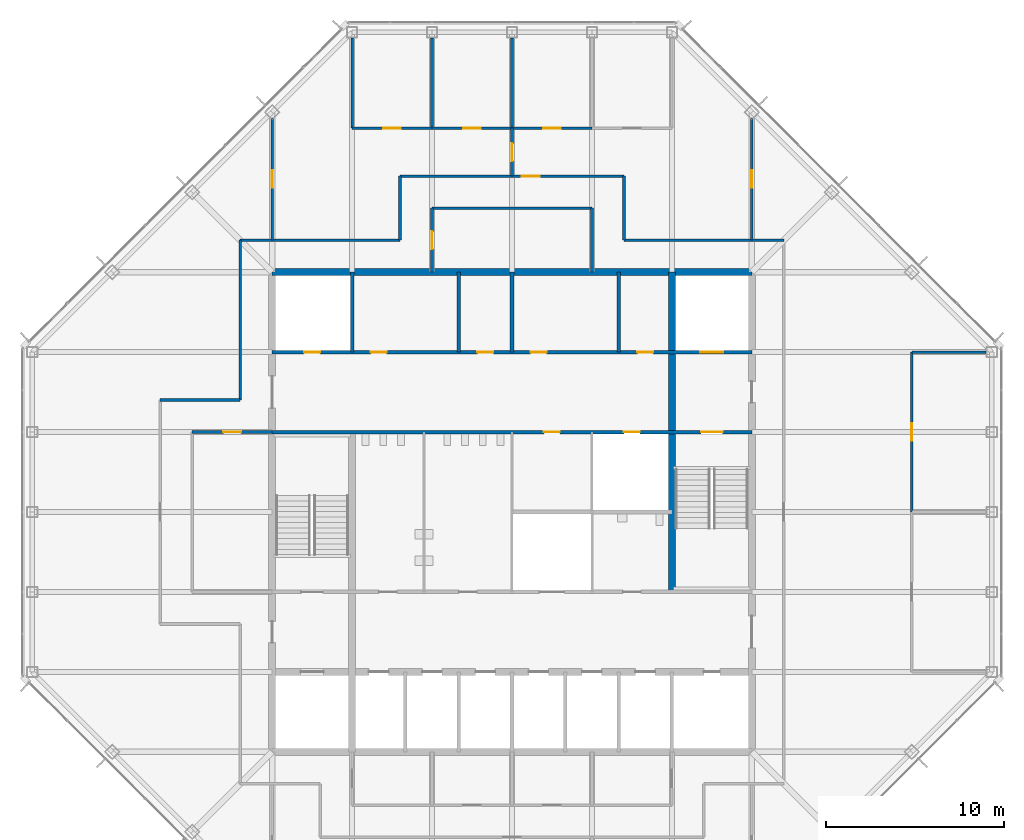
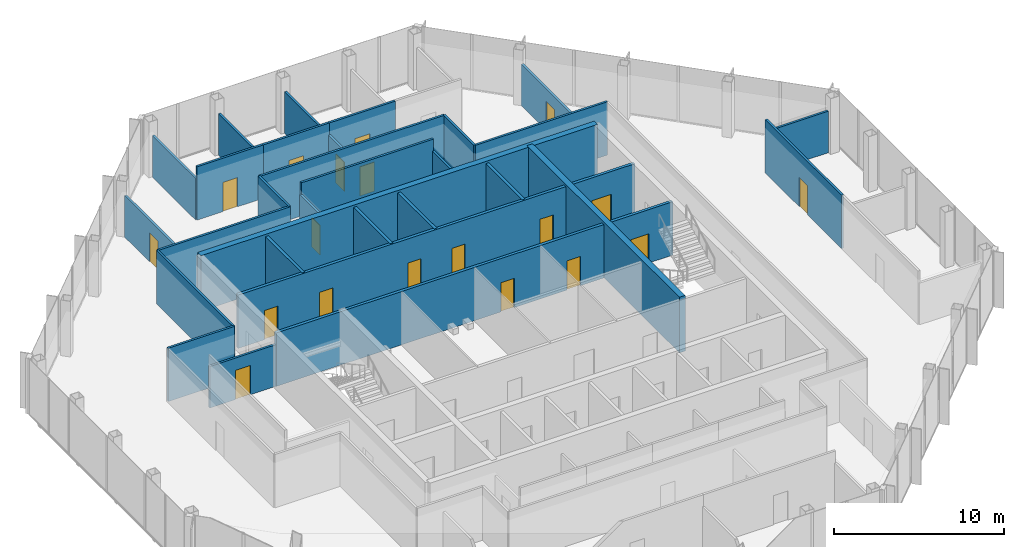
# One storey, part 11 of 14: 30 walls, 19 doors, 19 openings.
"""IFC4 building model written with IfcOpenShell, lengths in metres."""

from ifc_helpers import new_model, si_unit, direction, frame, frame_2d, origin, place, context, subcontext, project, spatial, rectangle, extrude, material, layer, layer_set, type_object, element, fill, save


model = new_model("IFC4")

# Units and contexts
model_context = context("Model", 3, precision=1e-05, world=origin(), true_north=direction((0.0, 1.0)))
body_context = subcontext(model_context, "Body", "Model", "MODEL_VIEW")
ifc_project = project(units=[si_unit("LENGTHUNIT", "METRE"), si_unit("AREAUNIT", "SQUARE_METRE"), si_unit("VOLUMEUNIT", "CUBIC_METRE"), si_unit("PLANEANGLEUNIT", "RADIAN"), si_unit("MASSUNIT", "GRAM", prefix="KILO")], contexts=[model_context])

# Site, building, storey
site_placement = place(None, origin())
site = spatial("IfcSite", under=ifc_project, at=site_placement, CompositionType="ELEMENT")
building_placement = place(site_placement, origin())
building = spatial("IfcBuilding", under=site, at=building_placement, Name="Corais Broadcast Tower", CompositionType="ELEMENT")
storey_placement = place(building_placement, frame((0.0, 0.0, 278.60009765625)))
storey = spatial("IfcBuildingStorey", under=building, at=storey_placement, Name="L65", CompositionType="ELEMENT", Elevation=278.60009765625)

# Wall
ifc_material_1 = material(Name="Concrete blockwork class A, grouted, two-hour", Category="masonry")
ifc_layer_1 = layer(ifc_material_1, 0.199951171875)
ifc_layer_set_1 = layer_set([ifc_layer_1], Name="Concrete blockwork class A, grouted, two-hour")
wall_type_1 = type_object("IfcWallType", Name="Core lobby wall 200", PredefinedType="SOLIDWALL", material=ifc_layer_set_1)
wall_1_placement = place(storey_placement, frame((18.0, 36.0, 0.0), z_axis=(0.0, 0.0, 1.0), x_axis=(0.0, 1.0, 0.0)))
element("IfcWall", 1, at=wall_1_placement, inside=storey, type_object=wall_type_1, Name="CL3 core shaft wall X18B L65", PredefinedType="SOLIDWALL", context=body_context, shape_type="SweptSolid", body=[
    extrude(rectangle(XDim=4.5, YDim=0.199951171875, at=frame_2d((2.25, 0.0))), origin(), (0.0, 0.0, 1.0), 3.83984375),
])

# Wall, openings, doors
wall_2_placement = place(storey_placement, frame((13.5, 31.5, 0.0), z_axis=(0.0, 0.0, 1.0), x_axis=(1.0, 0.0, 0.0)))
wall_2 = element("IfcWall", 2, at=wall_2_placement, inside=storey, type_object=wall_type_1, Name="CL3 core lobby wall Y315 L65", PredefinedType="SOLIDWALL", context=body_context, shape_type="SweptSolid", body=[
    extrude(rectangle(XDim=27.0, YDim=0.199951171875, at=frame_2d((13.5, 0.0))), origin(), (0.0, 0.0, 1.0), 3.83984375),
])
opening_1_placement = place(wall_2_placement, frame((24.14990234375, 0.0, 0.0)))
opening_1 = element("IfcOpeningElement", 3, at=opening_1_placement, cuts=wall_2, Name="Opening FD1", PredefinedType="OPENING", context=body_context, shape_type="SweptSolid", body=[
    extrude(rectangle(XDim=1.199951171875, YDim=2.10009765625, at=frame_2d((0.60009765625, 1.050048828125))), frame((0.0, 0.10986328125, 0.0), z_axis=(0.0, -1.0, 0.0), x_axis=(1.0, 0.0, 0.0)), (0.0, 0.0, 1.0), 0.219970703125),
])
opening_2_placement = place(wall_2_placement, frame((15.300048828125, 0.0, 0.0)))
opening_2 = element("IfcOpeningElement", 4, at=opening_2_placement, cuts=wall_2, Name="Opening RD1", PredefinedType="OPENING", context=body_context, shape_type="SweptSolid", body=[
    extrude(rectangle(XDim=0.89990234375, YDim=2.10009765625, at=frame_2d((0.449951171875, 1.050048828125))), frame((0.0, 0.10986328125, 0.0), z_axis=(0.0, -1.0, 0.0), x_axis=(1.0, 0.0, 0.0)), (0.0, 0.0, 1.0), 0.219970703125),
])
opening_3_placement = place(wall_2_placement, frame((19.800048828125, 0.0, 0.0)))
opening_3 = element("IfcOpeningElement", 5, at=opening_3_placement, cuts=wall_2, Name="Opening RD1", PredefinedType="OPENING", context=body_context, shape_type="SweptSolid", body=[
    extrude(rectangle(XDim=0.89990234375, YDim=2.10009765625, at=frame_2d((0.449951171875, 1.050048828125))), frame((0.0, 0.10986328125, 0.0), z_axis=(0.0, -1.0, 0.0), x_axis=(1.0, 0.0, 0.0)), (0.0, 0.0, 1.0), 0.219970703125),
])
ifc_material_2 = material(Name="Steel fire door", Category="steel")
door_type_1 = type_object("IfcDoorType", Name="Fire door 1200x2100", OperationType="SINGLE_SWING_LEFT", PredefinedType="DOOR", material=ifc_material_2)
door_1_placement = place(opening_1_placement, origin())
door_1 = element("IfcDoor", 6, at=door_1_placement, inside=storey, type_object=door_type_1, Name="FD1 stair B door L65", OperationType="SINGLE_SWING_RIGHT", OverallHeight=2.10009765625, OverallWidth=1.199951171875, PredefinedType="DOOR", context=body_context, shape_type="SweptSolid", body=[
    extrude(rectangle(XDim=1.199951171875, YDim=2.10009765625, at=frame_2d((0.60009765625, 1.050048828125))), frame((0.0, 0.02490234375, 0.0), z_axis=(0.0, -1.0, 0.0), x_axis=(1.0, 0.0, 0.0)), (0.0, 0.0, 1.0), 0.050048828125),
])
fill(opening_1, door_1)
ifc_material_3 = material(Name="Steel fire door", Category="steel")
door_type_2 = type_object("IfcDoorType", Name="Riser door 900x2100", OperationType="SINGLE_SWING_LEFT", PredefinedType="DOOR", material=ifc_material_3)
door_2_placement = place(opening_2_placement, origin())
door_2 = element("IfcDoor", 7, at=door_2_placement, inside=storey, type_object=door_type_2, Name="RD1 cleaner's store door L65", OperationType="SINGLE_SWING_RIGHT", OverallHeight=2.10009765625, OverallWidth=0.89990234375, PredefinedType="DOOR", context=body_context, shape_type="SweptSolid", body=[
    extrude(rectangle(XDim=0.89990234375, YDim=2.10009765625, at=frame_2d((0.449951171875, 1.050048828125))), frame((0.0, 0.02490234375, 0.0), z_axis=(0.0, -1.0, 0.0), x_axis=(1.0, 0.0, 0.0)), (0.0, 0.0, 1.0), 0.050048828125),
])
fill(opening_2, door_2)
door_3_placement = place(opening_3_placement, origin())
door_3 = element("IfcDoor", 8, at=door_3_placement, inside=storey, type_object=door_type_2, Name="RD1 riser door L65", OperationType="SINGLE_SWING_RIGHT", OverallHeight=2.10009765625, OverallWidth=0.89990234375, PredefinedType="DOOR", context=body_context, shape_type="SweptSolid", body=[
    extrude(rectangle(XDim=0.89990234375, YDim=2.10009765625, at=frame_2d((0.449951171875, 1.050048828125))), frame((0.0, 0.02490234375, 0.0), z_axis=(0.0, -1.0, 0.0), x_axis=(1.0, 0.0, 0.0)), (0.0, 0.0, 1.0), 0.050048828125),
])
fill(opening_3, door_3)

# Walls
ifc_material_4 = material(Name="Concrete C50/60", Category="concrete")
ifc_layer_2 = layer(ifc_material_4, 0.39990234375)
ifc_layer_set_2 = layer_set([ifc_layer_2], Name="Concrete C50/60")
wall_type_2 = type_object("IfcWallType", Name="Core wall 400", PredefinedType="SHEAR", material=ifc_layer_set_2)
wall_3_placement = place(storey_placement, frame((40.5, 40.5, 0.0), z_axis=(0.0, 0.0, 1.0), x_axis=(-1.0, 0.0, 0.0)))
element("IfcWall", 9, at=wall_3_placement, inside=storey, type_object=wall_type_2, Name="CR400 core wall N L65", PredefinedType="SHEAR", context=body_context, shape_type="SweptSolid", body=[
    extrude(rectangle(XDim=27.0, YDim=0.39990234375, at=frame_2d((13.5, 0.0))), origin(), (0.0, 0.0, 1.0), 4.0),
])
wall_4_placement = place(storey_placement, frame((36.0, 22.5, 0.0), z_axis=(0.0, 0.0, 1.0), x_axis=(0.0, 1.0, 0.0)))
element("IfcWall", 10, at=wall_4_placement, inside=storey, type_object=wall_type_2, Name="CR400 core wall X36B L65", PredefinedType="SHEAR", context=body_context, shape_type="SweptSolid", body=[
    extrude(rectangle(XDim=18.0, YDim=0.39990234375, at=frame_2d((9.0, 0.0))), origin(), (0.0, 0.0, 1.0), 4.0),
])

# Wall, openings, doors
ifc_material_5 = material(Name="Concrete blockwork class A, grouted, four-hour", Category="masonry")
ifc_layer_3 = layer(ifc_material_5, 0.199951171875)
ifc_layer_set_3 = layer_set([ifc_layer_3], Name="Concrete blockwork class A, grouted, four-hour")
wall_type_3 = type_object("IfcWallType", Name="Emergency lift shaft wall 200", PredefinedType="SOLIDWALL", material=ifc_layer_set_3)
wall_5_placement = place(storey_placement, frame((13.5, 36.0, 0.0), z_axis=(0.0, 0.0, 1.0), x_axis=(1.0, 0.0, 0.0)))
wall_5 = element("IfcWall", 11, at=wall_5_placement, inside=storey, type_object=wall_type_3, Name="LS3 core lobby wall Y36 L65", PredefinedType="SOLIDWALL", context=body_context, shape_type="SweptSolid", body=[
    extrude(rectangle(XDim=27.0, YDim=0.199951171875, at=frame_2d((13.5, 0.0))), origin(), (0.0, 0.0, 1.0), 3.83984375),
])
opening_4_placement = place(wall_5_placement, frame((1.800048828125, 0.0, 0.0)))
opening_4 = element("IfcOpeningElement", 12, at=opening_4_placement, cuts=wall_5, Name="Opening RD1", PredefinedType="OPENING", context=body_context, shape_type="SweptSolid", body=[
    extrude(rectangle(XDim=0.89990234375, YDim=2.10009765625, at=frame_2d((0.449951171875, 1.050048828125))), frame((0.0, 0.10986328125, 0.0), z_axis=(0.0, -1.0, 0.0), x_axis=(1.0, 0.0, 0.0)), (0.0, 0.0, 1.0), 0.219970703125),
])
opening_5_placement = place(wall_5_placement, frame((5.550048828125, 0.0, 0.0)))
opening_5 = element("IfcOpeningElement", 13, at=opening_5_placement, cuts=wall_5, Name="Opening RD1", PredefinedType="OPENING", context=body_context, shape_type="SweptSolid", body=[
    extrude(rectangle(XDim=0.89990234375, YDim=2.10009765625, at=frame_2d((0.449951171875, 1.050048828125))), frame((0.0, 0.10986328125, 0.0), z_axis=(0.0, -1.0, 0.0), x_axis=(1.0, 0.0, 0.0)), (0.0, 0.0, 1.0), 0.219970703125),
])
opening_6_placement = place(wall_5_placement, frame((11.550048828125, 0.0, 0.0)))
opening_6 = element("IfcOpeningElement", 14, at=opening_6_placement, cuts=wall_5, Name="Opening RD1", PredefinedType="OPENING", context=body_context, shape_type="SweptSolid", body=[
    extrude(rectangle(XDim=0.89990234375, YDim=2.10009765625, at=frame_2d((0.449951171875, 1.050048828125))), frame((0.0, 0.10986328125, 0.0), z_axis=(0.0, -1.0, 0.0), x_axis=(1.0, 0.0, 0.0)), (0.0, 0.0, 1.0), 0.219970703125),
])
opening_7_placement = place(wall_5_placement, frame((14.550048828125, 0.0, 0.0)))
opening_7 = element("IfcOpeningElement", 15, at=opening_7_placement, cuts=wall_5, Name="Opening RD1", PredefinedType="OPENING", context=body_context, shape_type="SweptSolid", body=[
    extrude(rectangle(XDim=0.89990234375, YDim=2.10009765625, at=frame_2d((0.449951171875, 1.050048828125))), frame((0.0, 0.10986328125, 0.0), z_axis=(0.0, -1.0, 0.0), x_axis=(1.0, 0.0, 0.0)), (0.0, 0.0, 1.0), 0.219970703125),
])
opening_8_placement = place(wall_5_placement, frame((20.550048828125, 0.0, 0.0)))
opening_8 = element("IfcOpeningElement", 16, at=opening_8_placement, cuts=wall_5, Name="Opening RD1", PredefinedType="OPENING", context=body_context, shape_type="SweptSolid", body=[
    extrude(rectangle(XDim=0.89990234375, YDim=2.10009765625, at=frame_2d((0.449951171875, 1.050048828125))), frame((0.0, 0.10986328125, 0.0), z_axis=(0.0, -1.0, 0.0), x_axis=(1.0, 0.0, 0.0)), (0.0, 0.0, 1.0), 0.219970703125),
])
opening_9_placement = place(wall_5_placement, frame((24.10009765625, 0.0, 0.0)))
opening_9 = element("IfcOpeningElement", 17, at=opening_9_placement, cuts=wall_5, Name="Opening LD2", PredefinedType="OPENING", context=body_context, shape_type="SweptSolid", body=[
    extrude(rectangle(XDim=1.300048828125, YDim=2.199951171875, at=frame_2d((0.64990234375, 1.10009765625))), frame((0.0, 0.10986328125, 0.0), z_axis=(0.0, -1.0, 0.0), x_axis=(1.0, 0.0, 0.0)), (0.0, 0.0, 1.0), 0.219970703125),
])
ifc_material_6 = material(Name="Stainless steel lift door", Category="steel")
door_type_3 = type_object("IfcDoorType", Name="Lift landing door 1300x2200", OperationType="SLIDING_TO_LEFT", PredefinedType="DOOR", material=ifc_material_6)
door_4_placement = place(opening_9_placement, origin())
door_4 = element("IfcDoor", 18, at=door_4_placement, inside=storey, type_object=door_type_3, Name="LD2 FL2 landing door L65", OperationType="SLIDING_TO_LEFT", OverallHeight=2.199951171875, OverallWidth=1.300048828125, PredefinedType="DOOR", context=body_context, shape_type="SweptSolid", body=[
    extrude(rectangle(XDim=1.300048828125, YDim=2.199951171875, at=frame_2d((0.64990234375, 1.10009765625))), frame((0.0, 0.02490234375, 0.0), z_axis=(0.0, -1.0, 0.0), x_axis=(1.0, 0.0, 0.0)), (0.0, 0.0, 1.0), 0.050048828125),
])
fill(opening_9, door_4)
door_5_placement = place(opening_4_placement, origin())
door_5 = element("IfcDoor", 19, at=door_5_placement, inside=storey, type_object=door_type_2, Name="RD1 riser door L65", OperationType="SINGLE_SWING_LEFT", OverallHeight=2.10009765625, OverallWidth=0.89990234375, PredefinedType="DOOR", context=body_context, shape_type="SweptSolid", body=[
    extrude(rectangle(XDim=0.89990234375, YDim=2.10009765625, at=frame_2d((0.449951171875, 1.050048828125))), frame((0.0, 0.02490234375, 0.0), z_axis=(0.0, -1.0, 0.0), x_axis=(1.0, 0.0, 0.0)), (0.0, 0.0, 1.0), 0.050048828125),
])
fill(opening_4, door_5)
door_6_placement = place(opening_5_placement, origin())
door_6 = element("IfcDoor", 20, at=door_6_placement, inside=storey, type_object=door_type_2, Name="RD1 stationery store door L65", OperationType="SINGLE_SWING_LEFT", OverallHeight=2.10009765625, OverallWidth=0.89990234375, PredefinedType="DOOR", context=body_context, shape_type="SweptSolid", body=[
    extrude(rectangle(XDim=0.89990234375, YDim=2.10009765625, at=frame_2d((0.449951171875, 1.050048828125))), frame((0.0, 0.02490234375, 0.0), z_axis=(0.0, -1.0, 0.0), x_axis=(1.0, 0.0, 0.0)), (0.0, 0.0, 1.0), 0.050048828125),
])
fill(opening_5, door_6)
door_7_placement = place(opening_6_placement, origin())
door_7 = element("IfcDoor", 21, at=door_7_placement, inside=storey, type_object=door_type_2, Name="RD1 vending room door L65", OperationType="SINGLE_SWING_LEFT", OverallHeight=2.10009765625, OverallWidth=0.89990234375, PredefinedType="DOOR", context=body_context, shape_type="SweptSolid", body=[
    extrude(rectangle(XDim=0.89990234375, YDim=2.10009765625, at=frame_2d((0.449951171875, 1.050048828125))), frame((0.0, 0.02490234375, 0.0), z_axis=(0.0, -1.0, 0.0), x_axis=(1.0, 0.0, 0.0)), (0.0, 0.0, 1.0), 0.050048828125),
])
fill(opening_6, door_7)
door_8_placement = place(opening_7_placement, origin())
door_8 = element("IfcDoor", 22, at=door_8_placement, inside=storey, type_object=door_type_2, Name="RD1 av equipment room door L65", OperationType="SINGLE_SWING_RIGHT", OverallHeight=2.10009765625, OverallWidth=0.89990234375, PredefinedType="DOOR", context=body_context, shape_type="SweptSolid", body=[
    extrude(rectangle(XDim=0.89990234375, YDim=2.10009765625, at=frame_2d((0.449951171875, 1.050048828125))), frame((0.0, 0.02490234375, 0.0), z_axis=(0.0, -1.0, 0.0), x_axis=(1.0, 0.0, 0.0)), (0.0, 0.0, 1.0), 0.050048828125),
])
fill(opening_7, door_8)
door_9_placement = place(opening_8_placement, origin())
door_9 = element("IfcDoor", 23, at=door_9_placement, inside=storey, type_object=door_type_2, Name="RD1 media store door L65", OperationType="SINGLE_SWING_RIGHT", OverallHeight=2.10009765625, OverallWidth=0.89990234375, PredefinedType="DOOR", context=body_context, shape_type="SweptSolid", body=[
    extrude(rectangle(XDim=0.89990234375, YDim=2.10009765625, at=frame_2d((0.449951171875, 1.050048828125))), frame((0.0, 0.02490234375, 0.0), z_axis=(0.0, -1.0, 0.0), x_axis=(1.0, 0.0, 0.0)), (0.0, 0.0, 1.0), 0.050048828125),
])
fill(opening_8, door_9)

# Wall, opening, door
ifc_material_7 = material(Name="Gypsum board on steel studs", Category="steel")
ifc_layer_4 = layer(ifc_material_7, 0.14990234375)
ifc_layer_set_4 = layer_set([ifc_layer_4], Name="Gypsum board on steel studs")
wall_type_4 = type_object("IfcWallType", Name="Partition 150", PredefinedType="PARTITIONING", material=ifc_layer_set_4)
wall_6_placement = place(storey_placement, frame((33.300048828125, 45.89990234375, 0.0), z_axis=(0.0, 0.0, 1.0), x_axis=(-1.0, 0.0, 0.0)))
wall_6 = element("IfcWall", 24, at=wall_6_placement, inside=storey, type_object=wall_type_4, Name="IW3 corridor wall L65", PredefinedType="PARTITIONING", context=body_context, shape_type="SweptSolid", body=[
    extrude(rectangle(XDim=12.60009765625, YDim=0.14990234375, at=frame_2d((6.300048828125, 0.0))), origin(), (0.0, 0.0, 1.0), 3.83984375),
])
opening_10_placement = place(wall_6_placement, frame((4.75, 0.0, 0.0)))
opening_10 = element("IfcOpeningElement", 25, at=opening_10_placement, cuts=wall_6, Name="Opening D1", PredefinedType="OPENING", context=body_context, shape_type="SweptSolid", body=[
    extrude(rectangle(XDim=1.0, YDim=2.10009765625, at=frame_2d((0.5, 1.050048828125))), frame((0.0, 0.0849609375, 0.0), z_axis=(0.0, -1.0, 0.0), x_axis=(1.0, 0.0, 0.0)), (0.0, 0.0, 1.0), 0.169921875),
])
ifc_material_8 = material(Name="Timber door", Category="wood")
door_type_4 = type_object("IfcDoorType", Name="Single door 1000x2100", OperationType="SINGLE_SWING_LEFT", PredefinedType="DOOR", material=ifc_material_8)
door_10_placement = place(opening_10_placement, origin())
door_10 = element("IfcDoor", 26, at=door_10_placement, inside=storey, type_object=door_type_4, Name="D1 workplace door L65", OperationType="SINGLE_SWING_LEFT", OverallHeight=2.10009765625, OverallWidth=1.0, PredefinedType="DOOR", context=body_context, shape_type="SweptSolid", body=[
    extrude(rectangle(XDim=1.0, YDim=2.10009765625, at=frame_2d((0.5, 1.050048828125))), frame((0.0, 0.02490234375, 0.0), z_axis=(0.0, -1.0, 0.0), x_axis=(1.0, 0.0, 0.0)), (0.0, 0.0, 1.0), 0.050048828125),
])
fill(opening_10, door_10)

# Walls
for number, where, z_axis, x_axis, name in (
    (27, (11.699951171875, 42.300048828125, 0.0), (0.0, 0.0, 1.0), (0.0, -1.0, 0.0), "IW3 corridor wall L65"),
    (28, (20.699951171875, 42.300048828125, 0.0), (0.0, 0.0, 1.0), (-1.0, 0.0, 0.0), "IW3 corridor wall L65"),
    (29, (42.300048828125, 42.300048828125, 0.0), (0.0, 0.0, 1.0), (-1.0, 0.0, 0.0), "IW3 corridor wall L65"),
):
    element("IfcWall", number, at=place(storey_placement, frame(where, z_axis=z_axis, x_axis=x_axis)), inside=storey, type_object=wall_type_4, Name=name, PredefinedType="PARTITIONING", context=body_context, shape_type="SweptSolid", body=[
        extrude(rectangle(XDim=9.0, YDim=0.14990234375, at=frame_2d((4.5, 0.0))), origin(), (0.0, 0.0, 1.0), 3.83984375),
    ])
wall_7_placement = place(storey_placement, frame((11.699951171875, 33.300048828125, 0.0), z_axis=(0.0, 0.0, 1.0), x_axis=(-1.0, 0.0, 0.0)))
element("IfcWall", 30, at=wall_7_placement, inside=storey, type_object=wall_type_4, Name="IW3 corridor wall L65", PredefinedType="PARTITIONING", context=body_context, shape_type="SweptSolid", body=[
    extrude(rectangle(XDim=4.5, YDim=0.14990234375, at=frame_2d((2.25, 0.0))), origin(), (0.0, 0.0, 1.0), 3.83984375),
])
for number, where, z_axis, x_axis, name in (
    (31, (20.699951171875, 45.89990234375, 0.0), (0.0, 0.0, 1.0), (0.0, -1.0, 0.0), "IW3 corridor wall L65"),
    (32, (33.300048828125, 42.300048828125, 0.0), (0.0, 0.0, 1.0), (0.0, 1.0, 0.0), "IW3 corridor wall L65"),
):
    element("IfcWall", number, at=place(storey_placement, frame(where, z_axis=z_axis, x_axis=x_axis)), inside=storey, type_object=wall_type_4, Name=name, PredefinedType="PARTITIONING", context=body_context, shape_type="SweptSolid", body=[
        extrude(rectangle(XDim=3.599853515625, YDim=0.14990234375, at=frame_2d((1.7998046875, 0.0))), origin(), (0.0, 0.0, 1.0), 3.83984375),
    ])
wall_8_placement = place(storey_placement, frame((53.68994140625, 36.0, 0.0), z_axis=(0.0, 0.0, 1.0), x_axis=(-1.0, 0.0, 0.0)))
element("IfcWall", 33, at=wall_8_placement, inside=storey, type_object=wall_type_4, Name="IW3 partition L65", PredefinedType="PARTITIONING", context=body_context, shape_type="SweptSolid", body=[
    extrude(rectangle(XDim=4.18994140625, YDim=0.14990234375, at=frame_2d((2.094970703125, 0.0))), origin(), (0.0, 0.0, 1.0), 2.989013671875),
])

# Wall, opening, door
wall_9_placement = place(storey_placement, frame((49.5, 36.0, 0.0), z_axis=(0.0, 0.0, 1.0), x_axis=(0.0, -1.0, 0.0)))
wall_9 = element("IfcWall", 34, at=wall_9_placement, inside=storey, type_object=wall_type_4, Name="IW3 partition L65", PredefinedType="PARTITIONING", context=body_context, shape_type="SweptSolid", body=[
    extrude(rectangle(XDim=9.0, YDim=0.14990234375, at=frame_2d((4.5, 0.0))), origin(), (0.0, 0.0, 1.0), 3.83984375),
])
opening_11_placement = place(wall_9_placement, frame((4.0, 0.0, 0.0)))
opening_11 = element("IfcOpeningElement", 35, at=opening_11_placement, cuts=wall_9, Name="Opening D1", PredefinedType="OPENING", context=body_context, shape_type="SweptSolid", body=[
    extrude(rectangle(XDim=1.0, YDim=2.10009765625, at=frame_2d((0.5, 1.050048828125))), frame((0.0, 0.0849609375, 0.0), z_axis=(0.0, -1.0, 0.0), x_axis=(1.0, 0.0, 0.0)), (0.0, 0.0, 1.0), 0.169921875),
])
door_11_placement = place(opening_11_placement, origin())
door_11 = element("IfcDoor", 36, at=door_11_placement, inside=storey, type_object=door_type_4, Name="D1 Director office door", OperationType="SINGLE_SWING_LEFT", OverallHeight=2.10009765625, OverallWidth=1.0, PredefinedType="DOOR", context=body_context, shape_type="SweptSolid", body=[
    extrude(rectangle(XDim=1.0, YDim=2.10009765625, at=frame_2d((0.5, 1.050048828125))), frame((0.0, 0.02490234375, 0.0), z_axis=(0.0, -1.0, 0.0), x_axis=(1.0, 0.0, 0.0)), (0.0, 0.0, 1.0), 0.050048828125),
])
fill(opening_11, door_11)

wall_10_placement = place(storey_placement, frame((13.5, 31.5, 0.0), z_axis=(0.0, 0.0, 1.0), x_axis=(-1.0, 0.0, 0.0)))
wall_10 = element("IfcWall", 37, at=wall_10_placement, inside=storey, type_object=wall_type_4, Name="IW3 partition L65", PredefinedType="PARTITIONING", context=body_context, shape_type="SweptSolid", body=[
    extrude(rectangle(XDim=4.5, YDim=0.14990234375, at=frame_2d((2.25, 0.0))), origin(), (0.0, 0.0, 1.0), 2.989013671875),
])
opening_12_placement = place(wall_10_placement, frame((1.75, 0.0, 0.0)))
opening_12 = element("IfcOpeningElement", 38, at=opening_12_placement, cuts=wall_10, Name="Opening D1", PredefinedType="OPENING", context=body_context, shape_type="SweptSolid", body=[
    extrude(rectangle(XDim=1.0, YDim=2.10009765625, at=frame_2d((0.5, 1.050048828125))), frame((0.0, 0.0849609375, 0.0), z_axis=(0.0, -1.0, 0.0), x_axis=(1.0, 0.0, 0.0)), (0.0, 0.0, 1.0), 0.169921875),
])
door_12_placement = place(opening_12_placement, origin())
door_12 = element("IfcDoor", 39, at=door_12_placement, inside=storey, type_object=door_type_4, Name="D1 Meeting room door", OperationType="SINGLE_SWING_LEFT", OverallHeight=2.10009765625, OverallWidth=1.0, PredefinedType="DOOR", context=body_context, shape_type="SweptSolid", body=[
    extrude(rectangle(XDim=1.0, YDim=2.10009765625, at=frame_2d((0.5, 1.050048828125))), frame((0.0, 0.02490234375, 0.0), z_axis=(0.0, -1.0, 0.0), x_axis=(1.0, 0.0, 0.0)), (0.0, 0.0, 1.0), 0.050048828125),
])
fill(opening_12, door_12)

# Walls
wall_11_placement = place(storey_placement, frame((31.5, 40.5, 0.0), z_axis=(0.0, 0.0, 1.0), x_axis=(0.0, 1.0, 0.0)))
element("IfcWall", 40, at=wall_11_placement, inside=storey, type_object=wall_type_4, Name="IW3 partition L65", PredefinedType="PARTITIONING", context=body_context, shape_type="SweptSolid", body=[
    extrude(rectangle(XDim=3.60009765625, YDim=0.14990234375, at=frame_2d((1.800048828125, 0.0))), origin(), (0.0, 0.0, 1.0), 2.989013671875),
])
wall_12_placement = place(storey_placement, frame((31.5, 44.10009765625, 0.0), z_axis=(0.0, 0.0, 1.0), x_axis=(-1.0, 0.0, 0.0)))
element("IfcWall", 41, at=wall_12_placement, inside=storey, type_object=wall_type_4, Name="IW3 partition L65", PredefinedType="PARTITIONING", context=body_context, shape_type="SweptSolid", body=[
    extrude(rectangle(XDim=9.0, YDim=0.14990234375, at=frame_2d((4.5, 0.0))), origin(), (0.0, 0.0, 1.0), 3.83984375),
])

# Wall, opening, door
wall_13_placement = place(storey_placement, frame((22.5, 44.10009765625, 0.0), z_axis=(0.0, 0.0, 1.0), x_axis=(0.0, -1.0, 0.0)))
wall_13 = element("IfcWall", 42, at=wall_13_placement, inside=storey, type_object=wall_type_4, Name="IW3 partition L65", PredefinedType="PARTITIONING", context=body_context, shape_type="SweptSolid", body=[
    extrude(rectangle(XDim=3.60009765625, YDim=0.14990234375, at=frame_2d((1.800048828125, 0.0))), origin(), (0.0, 0.0, 1.0), 2.989013671875),
])
opening_13_placement = place(wall_13_placement, frame((1.300048828125, 0.0, 0.0)))
opening_13 = element("IfcOpeningElement", 43, at=opening_13_placement, cuts=wall_13, Name="Opening D1", PredefinedType="OPENING", context=body_context, shape_type="SweptSolid", body=[
    extrude(rectangle(XDim=1.0, YDim=2.10009765625, at=frame_2d((0.5, 1.050048828125))), frame((0.0, 0.0849609375, 0.0), z_axis=(0.0, -1.0, 0.0), x_axis=(1.0, 0.0, 0.0)), (0.0, 0.0, 1.0), 0.169921875),
])
door_13_placement = place(opening_13_placement, origin())
door_13 = element("IfcDoor", 44, at=door_13_placement, inside=storey, type_object=door_type_4, Name="D1 Pantry door", OperationType="SINGLE_SWING_LEFT", OverallHeight=2.10009765625, OverallWidth=1.0, PredefinedType="DOOR", context=body_context, shape_type="SweptSolid", body=[
    extrude(rectangle(XDim=1.0, YDim=2.10009765625, at=frame_2d((0.5, 1.050048828125))), frame((0.0, 0.02490234375, 0.0), z_axis=(0.0, -1.0, 0.0), x_axis=(1.0, 0.0, 0.0)), (0.0, 0.0, 1.0), 0.050048828125),
])
fill(opening_13, door_13)

wall_14_placement = place(storey_placement, frame((18.0, 48.60009765625, 0.0), z_axis=(0.0, 0.0, 1.0), x_axis=(1.0, 0.0, 0.0)))
wall_14 = element("IfcWall", 45, at=wall_14_placement, inside=storey, type_object=wall_type_4, Name="IW3 partition L65", PredefinedType="PARTITIONING", context=body_context, shape_type="SweptSolid", body=[
    extrude(rectangle(XDim=4.5, YDim=0.14990234375, at=frame_2d((2.25, 0.0))), origin(), (0.0, 0.0, 1.0), 3.83984375),
])
opening_14_placement = place(wall_14_placement, frame((1.75, 0.0, 0.0)))
opening_14 = element("IfcOpeningElement", 46, at=opening_14_placement, cuts=wall_14, Name="Opening D1", PredefinedType="OPENING", context=body_context, shape_type="SweptSolid", body=[
    extrude(rectangle(XDim=1.0, YDim=2.10009765625, at=frame_2d((0.5, 1.050048828125))), frame((0.0, 0.0849609375, 0.0), z_axis=(0.0, -1.0, 0.0), x_axis=(1.0, 0.0, 0.0)), (0.0, 0.0, 1.0), 0.169921875),
])
door_14_placement = place(opening_14_placement, origin())
door_14 = element("IfcDoor", 47, at=door_14_placement, inside=storey, type_object=door_type_4, Name="D1 Assistant office door", OperationType="SINGLE_SWING_LEFT", OverallHeight=2.10009765625, OverallWidth=1.0, PredefinedType="DOOR", context=body_context, shape_type="SweptSolid", body=[
    extrude(rectangle(XDim=1.0, YDim=2.10009765625, at=frame_2d((0.5, 1.050048828125))), frame((0.0, 0.02490234375, 0.0), z_axis=(0.0, -1.0, 0.0), x_axis=(1.0, 0.0, 0.0)), (0.0, 0.0, 1.0), 0.050048828125),
])
fill(opening_14, door_14)

# Walls
for number, where, z_axis, x_axis, name in (
    (48, (22.5, 48.60009765625, 0.0), (0.0, 0.0, 1.0), (0.0, 1.0, 0.0), "IW3 partition L65"),
    (49, (18.0, 53.68994140625, 0.0), (0.0, 0.0, 1.0), (0.0, -1.0, 0.0), "IW3 partition L65"),
):
    element("IfcWall", number, at=place(storey_placement, frame(where, z_axis=z_axis, x_axis=x_axis)), inside=storey, type_object=wall_type_4, Name=name, PredefinedType="PARTITIONING", context=body_context, shape_type="SweptSolid", body=[
        extrude(rectangle(XDim=5.08984375, YDim=0.14990234375, at=frame_2d((2.544921875, 0.0))), origin(), (0.0, 0.0, 1.0), 2.989013671875),
    ])

# Wall, opening, door
wall_15_placement = place(storey_placement, frame((22.5, 48.60009765625, 0.0), z_axis=(0.0, 0.0, 1.0), x_axis=(1.0, 0.0, 0.0)))
wall_15 = element("IfcWall", 50, at=wall_15_placement, inside=storey, type_object=wall_type_4, Name="IW3 partition L65", PredefinedType="PARTITIONING", context=body_context, shape_type="SweptSolid", body=[
    extrude(rectangle(XDim=4.5, YDim=0.14990234375, at=frame_2d((2.25, 0.0))), origin(), (0.0, 0.0, 1.0), 3.83984375),
])
opening_15_placement = place(wall_15_placement, frame((1.75, 0.0, 0.0)))
opening_15 = element("IfcOpeningElement", 51, at=opening_15_placement, cuts=wall_15, Name="Opening D1", PredefinedType="OPENING", context=body_context, shape_type="SweptSolid", body=[
    extrude(rectangle(XDim=1.0, YDim=2.10009765625, at=frame_2d((0.5, 1.050048828125))), frame((0.0, 0.0849609375, 0.0), z_axis=(0.0, -1.0, 0.0), x_axis=(1.0, 0.0, 0.0)), (0.0, 0.0, 1.0), 0.169921875),
])
door_15_placement = place(opening_15_placement, origin())
door_15 = element("IfcDoor", 52, at=door_15_placement, inside=storey, type_object=door_type_4, Name="D1 Assistant office door", OperationType="SINGLE_SWING_LEFT", OverallHeight=2.10009765625, OverallWidth=1.0, PredefinedType="DOOR", context=body_context, shape_type="SweptSolid", body=[
    extrude(rectangle(XDim=1.0, YDim=2.10009765625, at=frame_2d((0.5, 1.050048828125))), frame((0.0, 0.02490234375, 0.0), z_axis=(0.0, -1.0, 0.0), x_axis=(1.0, 0.0, 0.0)), (0.0, 0.0, 1.0), 0.050048828125),
])
fill(opening_15, door_15)

# Wall
wall_16_placement = place(storey_placement, frame((27.0, 48.60009765625, 0.0), z_axis=(0.0, 0.0, 1.0), x_axis=(0.0, 1.0, 0.0)))
element("IfcWall", 53, at=wall_16_placement, inside=storey, type_object=wall_type_4, Name="IW3 partition L65", PredefinedType="PARTITIONING", context=body_context, shape_type="SweptSolid", body=[
    extrude(rectangle(XDim=5.08984375, YDim=0.14990234375, at=frame_2d((2.544921875, 0.0))), origin(), (0.0, 0.0, 1.0), 2.989013671875),
])

# Wall, opening, door
wall_17_placement = place(storey_placement, frame((27.0, 48.60009765625, 0.0), z_axis=(0.0, 0.0, 1.0), x_axis=(1.0, 0.0, 0.0)))
wall_17 = element("IfcWall", 54, at=wall_17_placement, inside=storey, type_object=wall_type_4, Name="IW3 partition L65", PredefinedType="PARTITIONING", context=body_context, shape_type="SweptSolid", body=[
    extrude(rectangle(XDim=4.5, YDim=0.14990234375, at=frame_2d((2.25, 0.0))), origin(), (0.0, 0.0, 1.0), 3.83984375),
])
opening_16_placement = place(wall_17_placement, frame((1.75, 0.0, 0.0)))
opening_16 = element("IfcOpeningElement", 55, at=opening_16_placement, cuts=wall_17, Name="Opening D1", PredefinedType="OPENING", context=body_context, shape_type="SweptSolid", body=[
    extrude(rectangle(XDim=1.0, YDim=2.10009765625, at=frame_2d((0.5, 1.050048828125))), frame((0.0, 0.0849609375, 0.0), z_axis=(0.0, -1.0, 0.0), x_axis=(1.0, 0.0, 0.0)), (0.0, 0.0, 1.0), 0.169921875),
])
door_16_placement = place(opening_16_placement, origin())
door_16 = element("IfcDoor", 56, at=door_16_placement, inside=storey, type_object=door_type_4, Name="D1 Assistant office door", OperationType="SINGLE_SWING_LEFT", OverallHeight=2.10009765625, OverallWidth=1.0, PredefinedType="DOOR", context=body_context, shape_type="SweptSolid", body=[
    extrude(rectangle(XDim=1.0, YDim=2.10009765625, at=frame_2d((0.5, 1.050048828125))), frame((0.0, 0.02490234375, 0.0), z_axis=(0.0, -1.0, 0.0), x_axis=(1.0, 0.0, 0.0)), (0.0, 0.0, 1.0), 0.050048828125),
])
fill(opening_16, door_16)

wall_18_placement = place(storey_placement, frame((13.5, 42.300048828125, 0.0), z_axis=(0.0, 0.0, 1.0), x_axis=(0.0, 1.0, 0.0)))
wall_18 = element("IfcWall", 57, at=wall_18_placement, inside=storey, type_object=wall_type_4, Name="IW3 partition L65", PredefinedType="PARTITIONING", context=body_context, shape_type="SweptSolid", body=[
    extrude(rectangle(XDim=6.8798828125, YDim=0.14990234375, at=frame_2d((3.43994140625, 0.0))), origin(), (0.0, 0.0, 1.0), 2.989013671875),
])
opening_17_placement = place(wall_18_placement, frame((2.93994140625, 0.0, 0.0)))
opening_17 = element("IfcOpeningElement", 58, at=opening_17_placement, cuts=wall_18, Name="Opening D1", PredefinedType="OPENING", context=body_context, shape_type="SweptSolid", body=[
    extrude(rectangle(XDim=1.0, YDim=2.10009765625, at=frame_2d((0.5, 1.050048828125))), frame((0.0, 0.0849609375, 0.0), z_axis=(0.0, -1.0, 0.0), x_axis=(1.0, 0.0, 0.0)), (0.0, 0.0, 1.0), 0.169921875),
])
door_17_placement = place(opening_17_placement, origin())
door_17 = element("IfcDoor", 59, at=door_17_placement, inside=storey, type_object=door_type_4, Name="D1 team room door L65", OperationType="SINGLE_SWING_LEFT", OverallHeight=2.10009765625, OverallWidth=1.0, PredefinedType="DOOR", context=body_context, shape_type="SweptSolid", body=[
    extrude(rectangle(XDim=1.0, YDim=2.10009765625, at=frame_2d((0.5, 1.050048828125))), frame((0.0, 0.02490234375, 0.0), z_axis=(0.0, -1.0, 0.0), x_axis=(1.0, 0.0, 0.0)), (0.0, 0.0, 1.0), 0.050048828125),
])
fill(opening_17, door_17)

wall_19_placement = place(storey_placement, frame((27.0, 48.60009765625, 0.0), z_axis=(0.0, 0.0, 1.0), x_axis=(0.0, -1.0, 0.0)))
wall_19 = element("IfcWall", 60, at=wall_19_placement, inside=storey, type_object=wall_type_4, Name="IW3 partition L65", PredefinedType="PARTITIONING", context=body_context, shape_type="SweptSolid", body=[
    extrude(rectangle(XDim=2.7001953125, YDim=0.14990234375, at=frame_2d((1.35009765625, 0.0))), origin(), (0.0, 0.0, 1.0), 2.989013671875),
])
opening_18_placement = place(wall_19_placement, frame((0.85009765625, 0.0, 0.0)))
opening_18 = element("IfcOpeningElement", 61, at=opening_18_placement, cuts=wall_19, Name="Opening D1", PredefinedType="OPENING", context=body_context, shape_type="SweptSolid", body=[
    extrude(rectangle(XDim=1.0, YDim=2.10009765625, at=frame_2d((0.5, 1.050048828125))), frame((0.0, 0.0849609375, 0.0), z_axis=(0.0, -1.0, 0.0), x_axis=(1.0, 0.0, 0.0)), (0.0, 0.0, 1.0), 0.169921875),
])
door_18_placement = place(opening_18_placement, origin())
door_18 = element("IfcDoor", 62, at=door_18_placement, inside=storey, type_object=door_type_4, Name="D1 team room door L65", OperationType="SINGLE_SWING_LEFT", OverallHeight=2.10009765625, OverallWidth=1.0, PredefinedType="DOOR", context=body_context, shape_type="SweptSolid", body=[
    extrude(rectangle(XDim=1.0, YDim=2.10009765625, at=frame_2d((0.5, 1.050048828125))), frame((0.0, 0.02490234375, 0.0), z_axis=(0.0, -1.0, 0.0), x_axis=(1.0, 0.0, 0.0)), (0.0, 0.0, 1.0), 0.050048828125),
])
fill(opening_18, door_18)

wall_20_placement = place(storey_placement, frame((40.5, 42.300048828125, 0.0), z_axis=(0.0, 0.0, 1.0), x_axis=(0.0, 1.0, 0.0)))
wall_20 = element("IfcWall", 63, at=wall_20_placement, inside=storey, type_object=wall_type_4, Name="IW3 partition L65", PredefinedType="PARTITIONING", context=body_context, shape_type="SweptSolid", body=[
    extrude(rectangle(XDim=6.8798828125, YDim=0.14990234375, at=frame_2d((3.43994140625, 0.0))), origin(), (0.0, 0.0, 1.0), 2.989013671875),
])
opening_19_placement = place(wall_20_placement, frame((2.93994140625, 0.0, 0.0)))
opening_19 = element("IfcOpeningElement", 64, at=opening_19_placement, cuts=wall_20, Name="Opening D1", PredefinedType="OPENING", context=body_context, shape_type="SweptSolid", body=[
    extrude(rectangle(XDim=1.0, YDim=2.10009765625, at=frame_2d((0.5, 1.050048828125))), frame((0.0, 0.0849609375, 0.0), z_axis=(0.0, -1.0, 0.0), x_axis=(1.0, 0.0, 0.0)), (0.0, 0.0, 1.0), 0.169921875),
])
door_19_placement = place(opening_19_placement, origin())
door_19 = element("IfcDoor", 65, at=door_19_placement, inside=storey, type_object=door_type_4, Name="D1 team room door L65", OperationType="SINGLE_SWING_LEFT", OverallHeight=2.10009765625, OverallWidth=1.0, PredefinedType="DOOR", context=body_context, shape_type="SweptSolid", body=[
    extrude(rectangle(XDim=1.0, YDim=2.10009765625, at=frame_2d((0.5, 1.050048828125))), frame((0.0, 0.02490234375, 0.0), z_axis=(0.0, -1.0, 0.0), x_axis=(1.0, 0.0, 0.0)), (0.0, 0.0, 1.0), 0.050048828125),
])
fill(opening_19, door_19)

# Walls
ifc_material_9 = material(Name="Concrete blockwork class A, grouted, two-hour", Category="masonry")
ifc_layer_5 = layer(ifc_material_9, 0.199951171875)
ifc_layer_set_5 = layer_set([ifc_layer_5], Name="Concrete blockwork class A, grouted, two-hour")
wall_type_5 = type_object("IfcWallType", Name="Shaft wall 200", PredefinedType="PARTITIONING", material=ifc_layer_set_5)
for number, where, z_axis, x_axis, name in (
    (66, (24.0, 36.0, 0.0), (0.0, 0.0, 1.0), (0.0, 1.0, 0.0), "IW1 shaft wall L65"),
    (67, (27.0, 36.0, 0.0), (0.0, 0.0, 1.0), (0.0, 1.0, 0.0), "IW1 shaft wall L65"),
    (68, (33.0, 36.0, 0.0), (0.0, 0.0, 1.0), (0.0, 1.0, 0.0), "IW1 shaft wall L65"),
):
    element("IfcWall", number, at=place(storey_placement, frame(where, z_axis=z_axis, x_axis=x_axis)), inside=storey, type_object=wall_type_5, Name=name, PredefinedType="PARTITIONING", context=body_context, shape_type="SweptSolid", body=[
        extrude(rectangle(XDim=4.5, YDim=0.199951171875, at=frame_2d((2.25, 0.0))), origin(), (0.0, 0.0, 1.0), 3.83984375),
    ])

save(model, "model.ifc")
